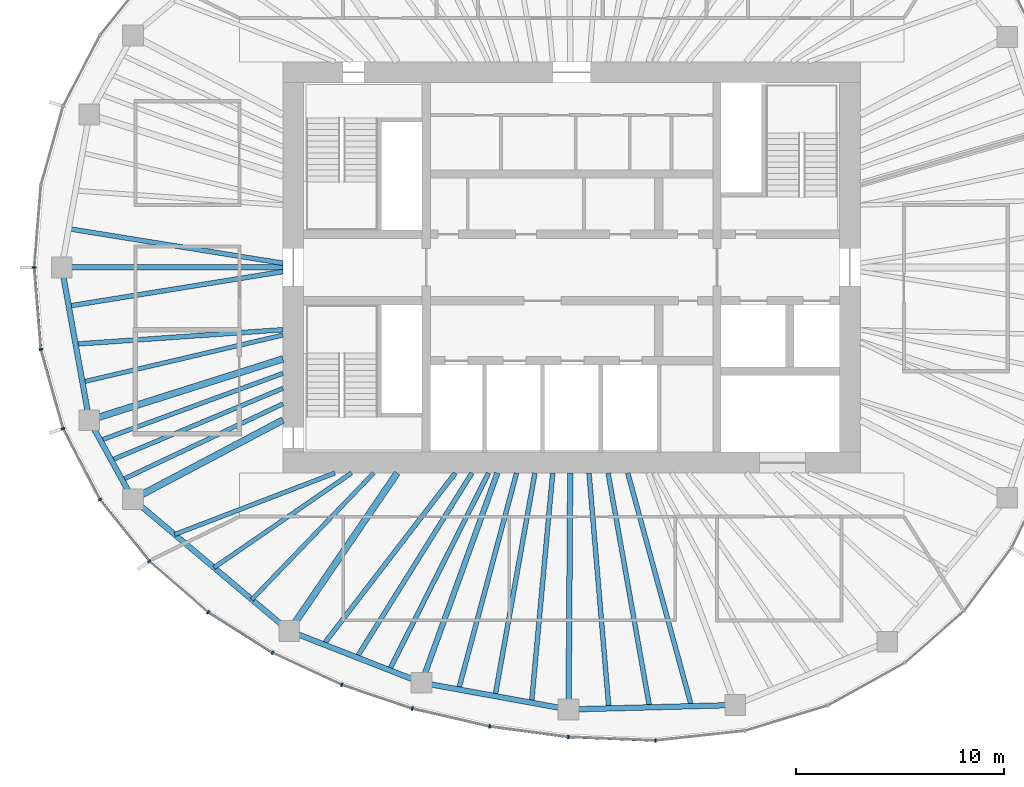
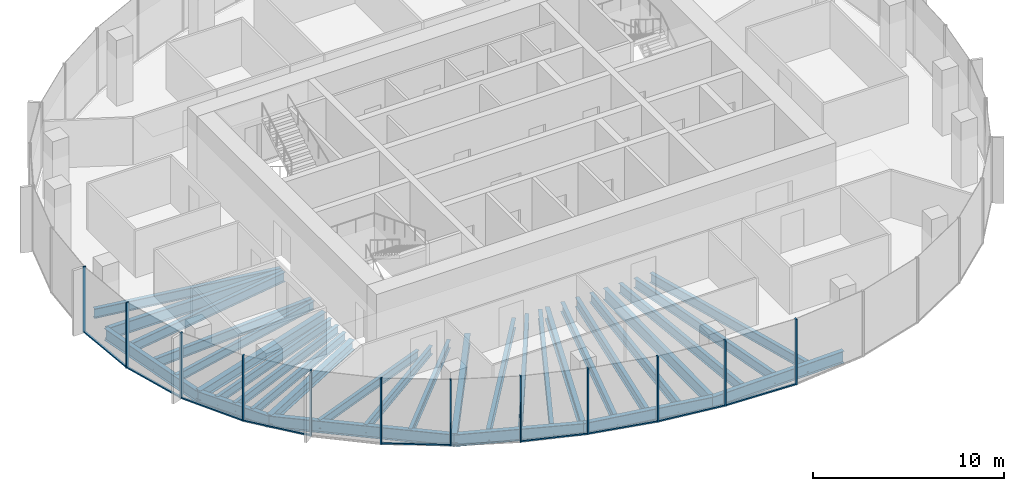
# One storey, part 2 of 11: 31 beams, 21 members, 6 elements without a shape of their own.
"""IFC4 building model written with IfcOpenShell, lengths in metres."""

from ifc_helpers import new_model, si_unit, direction, frame, origin, origin_2d, place, context, subcontext, project, spatial, rectangle, i_section, extrude, material, material_profile, profile_set, type_object, element, aggregate, save


model = new_model("IFC4")

# Units and contexts
model_context = context("Model", 3, precision=1e-05, world=origin(), true_north=direction((0.0, 1.0)))
body_context = subcontext(model_context, "Body", "Model", "MODEL_VIEW")
ifc_project = project(units=[si_unit("LENGTHUNIT", "METRE"), si_unit("AREAUNIT", "SQUARE_METRE"), si_unit("VOLUMEUNIT", "CUBIC_METRE"), si_unit("PLANEANGLEUNIT", "RADIAN"), si_unit("MASSUNIT", "GRAM", prefix="KILO")], contexts=[model_context])

# Site, building, storey
site_placement = place(None, origin())
site = spatial("IfcSite", under=ifc_project, at=site_placement, CompositionType="ELEMENT")
building_placement = place(site_placement, origin())
building = spatial("IfcBuilding", under=site, at=building_placement, Name="Ghaith Harvest Tower", CompositionType="ELEMENT")
storey_placement = place(building_placement, frame((0.0, 0.0, 313.199951171875)))
storey = spatial("IfcBuildingStorey", under=building, at=storey_placement, Name="L70", CompositionType="ELEMENT", Elevation=313.199951171875)

# Curtain wall, members
ifc_material_1 = material(Name="Black anodised aluminium and fritted glass", Category="aluminium")
curtain_wall_type = type_object("IfcCurtainWallType", Name="CW-T CURTAIN WALL", PredefinedType="NOTDEFINED", material=ifc_material_1)
curtain_wall_1_placement = place(storey_placement, origin())
curtain_wall_1 = element("IfcCurtainWall", 1, at=curtain_wall_1_placement, inside=storey, type_object=curtain_wall_type, Name="Curtain wall CW-T bay 11 L70", PredefinedType="NOTDEFINED")
ifc_material_2 = material(Name="Aluminium, black anodised", Category="aluminium")
ifc_material_profile_1 = material_profile(ifc_material_2, rectangle(XDim=0.080078125, YDim=0.179931640625, at=origin_2d()), Name="CW-T MULLION 80x180")
ifc_profile_set_1 = profile_set([ifc_material_profile_1], Name="Aluminium, black anodised")
member_type_1 = type_object("IfcMemberType", Name="CW-T MULLION 80x180", PredefinedType="MULLION", material=ifc_profile_set_1)
member_1_placement = place(storey_placement, frame((-25.8701171875, 0.0, 0.0), z_axis=(0.0, 0.0, 1.0), x_axis=(-1.05e-10, -1.0, 0.0)))
member_1 = element("IfcMember", 2, at=member_1_placement, type_object=member_type_1, Name="CW-T mullion 1 bay 11 L70", PredefinedType="MULLION", context=body_context, shape_type="SweptSolid", body=[
    extrude(rectangle(XDim=0.080078125, YDim=0.179931640625, at=origin_2d()), origin(), (0.0, 0.0, 1.0), 4.199951171875),
])
member_2_placement = place(storey_placement, frame((-25.5517578125, -3.9521484375, 0.0), z_axis=(0.0, 0.0, 1.0), x_axis=(0.176001391003, -0.98438991785, 0.0)))
member_2 = element("IfcMember", 3, at=member_2_placement, type_object=member_type_1, Name="CW-T mullion 2 bay 11 L70", PredefinedType="MULLION", context=body_context, shape_type="SweptSolid", body=[
    extrude(rectangle(XDim=0.080078125, YDim=0.179931640625, at=origin_2d()), origin(), (0.0, 0.0, 1.0), 4.199951171875),
])

curtain_wall_2_placement = place(storey_placement, origin())
curtain_wall_2 = element("IfcCurtainWall", 4, at=curtain_wall_2_placement, inside=storey, type_object=curtain_wall_type, Name="Curtain wall CW-T bay 12 L70", PredefinedType="NOTDEFINED")
member_3_placement = place(storey_placement, frame((-24.482666015625, -7.759033203125, 0.0), z_axis=(0.0, 0.0, 1.0), x_axis=(0.366473104734, -0.930428645038, 0.0)))
member_3 = element("IfcMember", 5, at=member_3_placement, type_object=member_type_1, Name="CW-T mullion 1 bay 12 L70", PredefinedType="MULLION", context=body_context, shape_type="SweptSolid", body=[
    extrude(rectangle(XDim=0.080078125, YDim=0.179931640625, at=origin_2d()), origin(), (0.0, 0.0, 1.0), 4.199951171875),
])
member_4_placement = place(storey_placement, frame((-22.706298828125, -11.176513671875, 0.0), z_axis=(0.0, 0.0, 1.0), x_axis=(0.545865412431, -0.837872873121, 0.0)))
member_4 = element("IfcMember", 6, at=member_4_placement, type_object=member_type_1, Name="CW-T mullion 2 bay 12 L70", PredefinedType="MULLION", context=body_context, shape_type="SweptSolid", body=[
    extrude(rectangle(XDim=0.080078125, YDim=0.179931640625, at=origin_2d()), origin(), (0.0, 0.0, 1.0), 4.199951171875),
])

curtain_wall_3_placement = place(storey_placement, origin())
curtain_wall_3 = element("IfcCurtainWall", 7, at=curtain_wall_3_placement, inside=storey, type_object=curtain_wall_type, Name="Curtain wall CW-T bay 13 L70", PredefinedType="NOTDEFINED")
member_5_placement = place(storey_placement, frame((-20.324462890625, -14.141845703125, 0.0), z_axis=(0.0, 0.0, 1.0), x_axis=(0.692826491831, -0.721104328248, 0.0)))
member_5 = element("IfcMember", 8, at=member_5_placement, type_object=member_type_1, Name="CW-T mullion 1 bay 13 L70", PredefinedType="MULLION", context=body_context, shape_type="SweptSolid", body=[
    extrude(rectangle(XDim=0.080078125, YDim=0.179931640625, at=origin_2d()), origin(), (0.0, 0.0, 1.0), 4.199951171875),
])
member_6_placement = place(storey_placement, frame((-17.49462890625, -16.600830078125, 0.0), z_axis=(0.0, 0.0, 1.0), x_axis=(0.802189888845, -0.59706899286, 0.0)))
member_6 = element("IfcMember", 9, at=member_6_placement, type_object=member_type_1, Name="CW-T mullion 2 bay 13 L70", PredefinedType="MULLION", context=body_context, shape_type="SweptSolid", body=[
    extrude(rectangle(XDim=0.080078125, YDim=0.179931640625, at=origin_2d()), origin(), (0.0, 0.0, 1.0), 4.199951171875),
])

curtain_wall_4_placement = place(storey_placement, origin())
curtain_wall_4 = element("IfcCurtainWall", 10, at=curtain_wall_4_placement, inside=storey, type_object=curtain_wall_type, Name="Curtain wall CW-T bay 14 L70", PredefinedType="NOTDEFINED")
member_7_placement = place(storey_placement, frame((-14.40478515625, -18.5478515625, 0.0), z_axis=(0.0, 0.0, 1.0), x_axis=(0.878671732732, -0.477426419564, 0.0)))
member_7 = element("IfcMember", 11, at=member_7_placement, type_object=member_type_1, Name="CW-T mullion 1 bay 14 L70", PredefinedType="MULLION", context=body_context, shape_type="SweptSolid", body=[
    extrude(rectangle(XDim=0.080078125, YDim=0.179931640625, at=origin_2d()), origin(), (0.0, 0.0, 1.0), 4.199951171875),
])
member_8_placement = place(storey_placement, frame((-11.0673828125, -20.093017578125, 0.0), z_axis=(0.0, 0.0, 1.0), x_axis=(0.92862442092, -0.371021138038, 0.0)))
member_8 = element("IfcMember", 12, at=member_8_placement, type_object=member_type_1, Name="CW-T mullion 2 bay 14 L70", PredefinedType="MULLION", context=body_context, shape_type="SweptSolid", body=[
    extrude(rectangle(XDim=0.080078125, YDim=0.179931640625, at=origin_2d()), origin(), (0.0, 0.0, 1.0), 4.199951171875),
])

curtain_wall_5_placement = place(storey_placement, origin())
curtain_wall_5 = element("IfcCurtainWall", 13, at=curtain_wall_5_placement, inside=storey, type_object=curtain_wall_type, Name="Curtain wall CW-T bay 15 L70", PredefinedType="NOTDEFINED")
member_9_placement = place(storey_placement, frame((-7.6708984375, -21.23828125, 0.0), z_axis=(0.0, 0.0, 1.0), x_axis=(0.962552491659, -0.271095372151, 0.0)))
member_9 = element("IfcMember", 14, at=member_9_placement, type_object=member_type_1, Name="CW-T mullion 1 bay 15 L70", PredefinedType="MULLION", context=body_context, shape_type="SweptSolid", body=[
    extrude(rectangle(XDim=0.080078125, YDim=0.179931640625, at=origin_2d()), origin(), (0.0, 0.0, 1.0), 4.199951171875),
])
member_10_placement = place(storey_placement, frame((-3.946533203125, -22.0986328125, 0.0), z_axis=(0.0, 0.0, 1.0), x_axis=(0.983843447712, -0.179030920217, 0.0)))
member_10 = element("IfcMember", 15, at=member_10_placement, type_object=member_type_1, Name="CW-T mullion 2 bay 15 L70", PredefinedType="MULLION", context=body_context, shape_type="SweptSolid", body=[
    extrude(rectangle(XDim=0.080078125, YDim=0.179931640625, at=origin_2d()), origin(), (0.0, 0.0, 1.0), 4.199951171875),
])

curtain_wall_6_placement = place(storey_placement, origin())
curtain_wall_6 = element("IfcCurtainWall", 16, at=curtain_wall_6_placement, inside=storey, type_object=curtain_wall_type, Name="Curtain wall CW-T bay 16 L70", PredefinedType="NOTDEFINED")
member_11_placement = place(storey_placement, frame((-0.15478515625, -22.60595703125, 0.0), z_axis=(0.0, 0.0, 1.0), x_axis=(0.996414855524, -0.084601629366, 0.0)))
member_11 = element("IfcMember", 17, at=member_11_placement, type_object=member_type_1, Name="CW-T mullion 1 bay 16 L70", PredefinedType="MULLION", context=body_context, shape_type="SweptSolid", body=[
    extrude(rectangle(XDim=0.080078125, YDim=0.179931640625, at=origin_2d()), origin(), (0.0, 0.0, 1.0), 4.199951171875),
])
member_12_placement = place(storey_placement, frame((4.037841796875, -22.776611328125, 0.0), z_axis=(0.0, 0.0, 1.0), x_axis=(0.999388631241, 0.034962318939, 0.0)))
member_12 = element("IfcMember", 18, at=member_12_placement, type_object=member_type_1, Name="CW-T mullion 2 bay 16 L70", PredefinedType="MULLION", context=body_context, shape_type="SweptSolid", body=[
    extrude(rectangle(XDim=0.080078125, YDim=0.179931640625, at=origin_2d()), origin(), (0.0, 0.0, 1.0), 4.199951171875),
])

# Member
ifc_material_3 = material(Name="Aluminium, black anodised", Category="aluminium")
ifc_material_profile_2 = material_profile(ifc_material_3, rectangle(XDim=0.1201171875, YDim=0.080078125, at=origin_2d()), Name="CW-T TRANSOM 120x80")
ifc_profile_set_2 = profile_set([ifc_material_profile_2], Name="Aluminium, black anodised")
member_type_2 = type_object("IfcMemberType", Name="CW-T TRANSOM 120x80", PredefinedType="USERDEFINED", material=ifc_profile_set_2)
member_13_placement = place(storey_placement, frame((-25.86669921875, -0.039794921875, 0.0400390625), z_axis=(0.08025226314, -0.996774585481, 0.0), x_axis=(0.996774585481, 0.08025226314, 0.0)))
member_13 = element("IfcMember", 19, at=member_13_placement, type_object=member_type_2, Name="CW-T transom 1 bay 11 L70", ObjectType="TRANSOM", PredefinedType="USERDEFINED", context=body_context, shape_type="SweptSolid", body=[
    extrude(rectangle(XDim=0.1201171875, YDim=0.080078125, at=origin_2d()), origin(), (0.0, 0.0, 1.0), 3.884765625),
])

member_14_placement = place(storey_placement, frame((-25.541015625, -3.990478515625, 0.0400390625), z_axis=(0.270340422972, -0.962764797709, 0.0), x_axis=(0.962764797709, 0.270340422972, 0.0)))
member_14 = element("IfcMember", 20, at=member_14_placement, type_object=member_type_2, Name="CW-T transom 2 bay 11 L70", ObjectType="TRANSOM", PredefinedType="USERDEFINED", context=body_context, shape_type="SweptSolid", body=[
    extrude(rectangle(XDim=0.1201171875, YDim=0.080078125, at=origin_2d()), origin(), (0.0, 0.0, 1.0), 3.874267578125),
])

aggregate(curtain_wall_1, [member_1, member_13, member_2, member_14])

member_15_placement = place(storey_placement, frame((-24.46435546875, -7.79443359375, 0.0400390625), z_axis=(0.461242681347, -0.887274021317, 0.0), x_axis=(0.887274021317, 0.461242681347, 0.0)))
member_15 = element("IfcMember", 21, at=member_15_placement, type_object=member_type_2, Name="CW-T transom 1 bay 12 L70", ObjectType="TRANSOM", PredefinedType="USERDEFINED", context=body_context, shape_type="SweptSolid", body=[
    extrude(rectangle(XDim=0.1201171875, YDim=0.080078125, at=origin_2d()), origin(), (0.0, 0.0, 1.0), 3.77197265625),
])

member_16_placement = place(storey_placement, frame((-22.68115234375, -11.207763671875, 0.0400390625), z_axis=(0.626253073761, -0.779619835307, 0.0), x_axis=(0.779619835307, 0.626253073761, 0.0)))
member_16 = element("IfcMember", 22, at=member_16_placement, type_object=member_type_2, Name="CW-T transom 2 bay 12 L70", ObjectType="TRANSOM", PredefinedType="USERDEFINED", context=body_context, shape_type="SweptSolid", body=[
    extrude(rectangle(XDim=0.1201171875, YDim=0.080078125, at=origin_2d()), origin(), (0.0, 0.0, 1.0), 3.723388671875),
])

aggregate(curtain_wall_2, [member_3, member_15, member_4, member_16])

member_17_placement = place(storey_placement, frame((-17.4609375, -16.6220703125, 0.0400390625), z_axis=(0.846053602505, -0.533097835006, 0.0), x_axis=(0.533097835006, 0.846053602505, 0.0)))
member_17 = element("IfcMember", 23, at=member_17_placement, type_object=member_type_2, Name="CW-T transom 2 bay 13 L70", ObjectType="TRANSOM", PredefinedType="USERDEFINED", context=body_context, shape_type="SweptSolid", body=[
    extrude(rectangle(XDim=0.1201171875, YDim=0.080078125, at=origin_2d()), origin(), (0.0, 0.0, 1.0), 3.572021484375),
])

aggregate(curtain_wall_3, [member_5, member_6, member_17])

member_18_placement = place(storey_placement, frame((-11.029541015625, -20.105712890625, 0.0400390625), z_axis=(0.9475698206, -0.319548799228, 0.0), x_axis=(0.319548799228, 0.9475698206, 0.0)))
member_18 = element("IfcMember", 24, at=member_18_placement, type_object=member_type_2, Name="CW-T transom 2 bay 14 L70", ObjectType="TRANSOM", PredefinedType="USERDEFINED", context=body_context, shape_type="SweptSolid", body=[
    extrude(rectangle(XDim=0.1201171875, YDim=0.080078125, at=origin_2d()), origin(), (0.0, 0.0, 1.0), 3.504638671875),
])

aggregate(curtain_wall_4, [member_7, member_8, member_18])

member_19_placement = place(storey_placement, frame((-7.6318359375, -21.247314453125, 0.0400390625), z_axis=(0.974344997799, -0.225059603803, 0.0), x_axis=(0.225059603803, 0.974344997799, 0.0)))
member_19 = element("IfcMember", 25, at=member_19_placement, type_object=member_type_2, Name="CW-T transom 1 bay 15 L70", ObjectType="TRANSOM", PredefinedType="USERDEFINED", context=body_context, shape_type="SweptSolid", body=[
    extrude(rectangle(XDim=0.1201171875, YDim=0.080078125, at=origin_2d()), origin(), (0.0, 0.0, 1.0), 3.742431640625),
])

member_20_placement = place(storey_placement, frame((-3.90673828125, -22.10400390625, 0.0400390625), z_axis=(0.99117202259, -0.132582131655, 0.0), x_axis=(0.132582131655, 0.99117202259, 0.0)))
member_20 = element("IfcMember", 26, at=member_20_placement, type_object=member_type_2, Name="CW-T transom 2 bay 15 L70", ObjectType="TRANSOM", PredefinedType="USERDEFINED", context=body_context, shape_type="SweptSolid", body=[
    extrude(rectangle(XDim=0.1201171875, YDim=0.080078125, at=origin_2d()), origin(), (0.0, 0.0, 1.0), 3.745361328125),
])

aggregate(curtain_wall_5, [member_9, member_19, member_10, member_20])

member_21_placement = place(storey_placement, frame((-0.11474609375, -22.607666015625, 0.0400390625), z_axis=(0.999174207562, -0.040631304968, 0.0), x_axis=(0.040631304968, 0.999174207562, 0.0)))
member_21 = element("IfcMember", 27, at=member_21_placement, type_object=member_type_2, Name="CW-T transom 1 bay 16 L70", ObjectType="TRANSOM", PredefinedType="USERDEFINED", context=body_context, shape_type="SweptSolid", body=[
    extrude(rectangle(XDim=0.1201171875, YDim=0.080078125, at=origin_2d()), origin(), (0.0, 0.0, 1.0), 4.115966796875),
])

aggregate(curtain_wall_6, [member_11, member_21, member_12])

# Beams
ifc_material_4 = material(Name="Steel ASTM A992 Grade 50", Category="steel")
ifc_material_profile_3 = material_profile(ifc_material_4, i_section(OverallWidth=0.26611328125, OverallDepth=0.758056640625, WebThickness=0.013916015625, FlangeThickness=0.019287109375, at=origin_2d()), Name="W760X161")
ifc_profile_set_3 = profile_set([ifc_material_profile_3], Name="Steel ASTM A992 Grade 50")
beam_type_1 = type_object("IfcBeamType", Name="E760-161 W760X161", PredefinedType="SPANDREL", material=ifc_profile_set_3)
beam_1_placement = place(storey_placement, frame((-24.550048828125, 0.0, -0.549072265625), z_axis=(0.177296554745, -0.984157473007, 0.0), x_axis=(0.984157473007, 0.177296554745, 0.0)))
element("IfcBeam", 28, at=beam_1_placement, inside=storey, type_object=beam_type_1, Name="Edge beam E11 L70", PredefinedType="SPANDREL", context=body_context, shape_type="SweptSolid", body=[
    extrude(i_section(OverallWidth=0.26611328125, OverallDepth=0.758056640625, WebThickness=0.013916015625, FlangeThickness=0.019287109375, at=origin_2d()), origin(), (0.0, 0.0, 1.0), 7.478515625),
])
beam_2_placement = place(storey_placement, frame((-23.22412109375, -7.360107421875, -0.549072265625), z_axis=(0.482955575345, -0.875644855089, 0.0), x_axis=(0.875644855089, 0.482955575345, 0.0)))
element("IfcBeam", 29, at=beam_2_placement, inside=storey, type_object=beam_type_1, Name="Edge beam E12 L70", PredefinedType="SPANDREL", context=body_context, shape_type="SweptSolid", body=[
    extrude(i_section(OverallWidth=0.26611328125, OverallDepth=0.758056640625, WebThickness=0.013916015625, FlangeThickness=0.019287109375, at=origin_2d()), origin(), (0.0, 0.0, 1.0), 4.346435546875),
])
beam_3_placement = place(storey_placement, frame((-21.125, -11.166015625, -0.549072265625), z_axis=(0.765021818761, -0.64400436087, 0.0), x_axis=(0.64400436087, 0.765021818761, 0.0)))
element("IfcBeam", 30, at=beam_3_placement, inside=storey, type_object=beam_type_1, Name="Edge beam E13 L70", PredefinedType="SPANDREL", context=body_context, shape_type="SweptSolid", body=[
    extrude(i_section(OverallWidth=0.26611328125, OverallDepth=0.758056640625, WebThickness=0.013916015625, FlangeThickness=0.019287109375, at=origin_2d()), origin(), (0.0, 0.0, 1.0), 9.8427734375),
])
beam_4_placement = place(storey_placement, frame((-13.594970703125, -17.5048828125, -0.549072265625), z_axis=(0.931322768207, -0.364194867371, 0.0), x_axis=(0.364194867371, 0.931322768207, 0.0)))
element("IfcBeam", 31, at=beam_4_placement, inside=storey, type_object=beam_type_1, Name="Edge beam E14 L70", PredefinedType="SPANDREL", context=body_context, shape_type="SweptSolid", body=[
    extrude(i_section(OverallWidth=0.26611328125, OverallDepth=0.758056640625, WebThickness=0.013916015625, FlangeThickness=0.019287109375, at=origin_2d()), origin(), (0.0, 0.0, 1.0), 6.843017578125),
])
beam_5_placement = place(storey_placement, frame((-7.221923828125, -19.9970703125, -0.549072265625), z_axis=(0.983813921429, -0.179193102551, 0.0), x_axis=(0.179193102551, 0.983813921429, 0.0)))
element("IfcBeam", 32, at=beam_5_placement, inside=storey, type_object=beam_type_1, Name="Edge beam E15 L70", PredefinedType="SPANDREL", context=body_context, shape_type="SweptSolid", body=[
    extrude(i_section(OverallWidth=0.26611328125, OverallDepth=0.758056640625, WebThickness=0.013916015625, FlangeThickness=0.019287109375, at=origin_2d()), origin(), (0.0, 0.0, 1.0), 7.1923828125),
])
beam_6_placement = place(storey_placement, frame((-0.14599609375, -21.285888671875, -0.549072265625), z_axis=(0.999644979696, 0.02664422206, 0.0), x_axis=(-0.02664422206, 0.999644979696, 0.0)))
element("IfcBeam", 33, at=beam_6_placement, inside=storey, type_object=beam_type_1, Name="Edge beam E16 L70", PredefinedType="SPANDREL", context=body_context, shape_type="SweptSolid", body=[
    extrude(i_section(OverallWidth=0.26611328125, OverallDepth=0.758056640625, WebThickness=0.013916015625, FlangeThickness=0.019287109375, at=origin_2d()), origin(), (0.0, 0.0, 1.0), 8.02685546875),
])
ifc_material_5 = material(Name="Steel ASTM A992 Grade 50", Category="steel")
ifc_material_profile_4 = material_profile(ifc_material_5, i_section(OverallWidth=0.323974609375, OverallDepth=0.611083984375, WebThickness=0.0126953125, FlangeThickness=0.01904296875, at=origin_2d()), Name="W610X155")
ifc_profile_set_4 = profile_set([ifc_material_profile_4], Name="Steel ASTM A992 Grade 50")
beam_type_2 = type_object("IfcBeamType", Name="G610-155 W610X155", PredefinedType="BEAM", material=ifc_profile_set_4)
beam_7_placement = place(storey_placement, frame((-13.89990234375, -4.4052734375, -0.475341796875), z_axis=(-0.953278508772, -0.302092841215, 0.0), x_axis=(0.302092841215, -0.953278508772, 0.0)))
element("IfcBeam", 34, at=beam_7_placement, inside=storey, type_object=beam_type_2, Name="Radial girder G12 L70", PredefinedType="BEAM", context=body_context, shape_type="SweptSolid", body=[
    extrude(i_section(OverallWidth=0.323974609375, OverallDepth=0.611083984375, WebThickness=0.0126953125, FlangeThickness=0.01904296875, at=origin_2d()), origin(), (0.0, 0.0, 1.0), 9.78125),
])
beam_8_placement = place(storey_placement, frame((-13.89990234375, -7.34716796875, -0.475341796875), z_axis=(-0.88410164037, -0.467294649546, 0.0), x_axis=(0.467294649546, -0.88410164037, 0.0)))
element("IfcBeam", 35, at=beam_8_placement, inside=storey, type_object=beam_type_2, Name="Radial girder G13 L70", PredefinedType="BEAM", context=body_context, shape_type="SweptSolid", body=[
    extrude(i_section(OverallWidth=0.323974609375, OverallDepth=0.611083984375, WebThickness=0.0126953125, FlangeThickness=0.01904296875, at=origin_2d()), origin(), (0.0, 0.0, 1.0), 8.17236328125),
])
beam_9_placement = place(storey_placement, frame((-8.39990234375, -9.89990234375, -0.475341796875), z_axis=(-0.564067018201, -0.825729010619, 0.0), x_axis=(0.825729010619, -0.564067018201, 0.0)))
element("IfcBeam", 36, at=beam_9_placement, inside=storey, type_object=beam_type_2, Name="Radial girder G14 L70", PredefinedType="BEAM", context=body_context, shape_type="SweptSolid", body=[
    extrude(i_section(OverallWidth=0.323974609375, OverallDepth=0.611083984375, WebThickness=0.0126953125, FlangeThickness=0.01904296875, at=origin_2d()), origin(), (0.0, 0.0, 1.0), 9.2099609375),
])
ifc_material_6 = material(Name="Steel ASTM A992 Grade 50", Category="steel")
ifc_material_profile_5 = material_profile(ifc_material_6, i_section(OverallWidth=0.26611328125, OverallDepth=0.758056640625, WebThickness=0.013916015625, FlangeThickness=0.019287109375, at=origin_2d()), Name="W760X161")
ifc_profile_set_5 = profile_set([ifc_material_profile_5], Name="Steel ASTM A992 Grade 50")
beam_type_3 = type_object("IfcBeamType", Name="G760-161 W760X161", PredefinedType="BEAM", material=ifc_profile_set_5)
beam_10_placement = place(storey_placement, frame((-13.89990234375, 0.0, -0.549072265625), z_axis=(-1.0, 0.0, 0.0), x_axis=(0.0, -1.0, 0.0)))
element("IfcBeam", 37, at=beam_10_placement, inside=storey, type_object=beam_type_3, Name="Radial girder G11 L70", PredefinedType="BEAM", context=body_context, shape_type="SweptSolid", body=[
    extrude(i_section(OverallWidth=0.26611328125, OverallDepth=0.758056640625, WebThickness=0.013916015625, FlangeThickness=0.019287109375, at=origin_2d()), origin(), (0.0, 0.0, 1.0), 10.650146484375),
])
beam_11_placement = place(storey_placement, frame((-3.57568359375, -9.89990234375, -0.549072265625), z_axis=(-0.339647816823, -0.940552688863, 0.0), x_axis=(0.940552688863, -0.339647816823, 0.0)))
element("IfcBeam", 38, at=beam_11_placement, inside=storey, type_object=beam_type_3, Name="Radial girder G15 L70", PredefinedType="BEAM", context=body_context, shape_type="SweptSolid", body=[
    extrude(i_section(OverallWidth=0.26611328125, OverallDepth=0.758056640625, WebThickness=0.013916015625, FlangeThickness=0.019287109375, at=origin_2d()), origin(), (0.0, 0.0, 1.0), 10.7353515625),
])
beam_12_placement = place(storey_placement, frame((-0.06787109375, -9.89990234375, -0.549072265625), z_axis=(-0.006861343299, -0.999976460707, 0.0), x_axis=(0.999976460707, -0.006861343299, 0.0)))
element("IfcBeam", 39, at=beam_12_placement, inside=storey, type_object=beam_type_3, Name="Radial girder G16 L70", PredefinedType="BEAM", context=body_context, shape_type="SweptSolid", body=[
    extrude(i_section(OverallWidth=0.26611328125, OverallDepth=0.758056640625, WebThickness=0.013916015625, FlangeThickness=0.019287109375, at=origin_2d()), origin(), (0.0, 0.0, 1.0), 11.38623046875),
])
ifc_material_7 = material(Name="Steel ASTM A992 Grade 50", Category="steel")
ifc_material_profile_6 = material_profile(ifc_material_7, i_section(OverallWidth=0.2109375, OverallDepth=0.5390625, WebThickness=0.01171875, FlangeThickness=0.018798828125, at=origin_2d()), Name="W530X109")
ifc_profile_set_6 = profile_set([ifc_material_profile_6], Name="Steel ASTM A992 Grade 50")
beam_type_4 = type_object("IfcBeamType", Name="J530-109 W530X109", PredefinedType="JOIST", material=ifc_profile_set_6)
beam_13_placement = place(storey_placement, frame((-13.89990234375, -3.257080078125, -0.439453125), z_axis=(-0.973623403271, -0.228161058472, 0.0), x_axis=(0.228161058472, -0.973623403271, 0.0)))
element("IfcBeam", 40, at=beam_13_placement, inside=storey, type_object=beam_type_4, Name="Joist J11.3 L70", PredefinedType="JOIST", context=body_context, shape_type="SweptSolid", body=[
    extrude(i_section(OverallWidth=0.2109375, OverallDepth=0.5390625, WebThickness=0.01171875, FlangeThickness=0.018798828125, at=origin_2d()), origin(), (0.0, 0.0, 1.0), 9.9169921875),
])
beam_14_placement = place(storey_placement, frame((-13.89990234375, -5.101318359375, -0.439453125), z_axis=(-0.938776837502, -0.34452583266, 0.0), x_axis=(0.34452583266, -0.938776837502, 0.0)))
element("IfcBeam", 41, at=beam_14_placement, inside=storey, type_object=beam_type_4, Name="Joist J12.1 L70", PredefinedType="JOIST", context=body_context, shape_type="SweptSolid", body=[
    extrude(i_section(OverallWidth=0.2109375, OverallDepth=0.5390625, WebThickness=0.01171875, FlangeThickness=0.018798828125, at=origin_2d()), origin(), (0.0, 0.0, 1.0), 9.36376953125),
])
beam_15_placement = place(storey_placement, frame((-13.89990234375, -5.82080078125, -0.439453125), z_axis=(-0.922394258818, -0.38624970071, 0.0), x_axis=(0.38624970071, -0.922394258818, 0.0)))
element("IfcBeam", 42, at=beam_15_placement, inside=storey, type_object=beam_type_4, Name="Joist J12.2 L70", PredefinedType="JOIST", context=body_context, shape_type="SweptSolid", body=[
    extrude(i_section(OverallWidth=0.2109375, OverallDepth=0.5390625, WebThickness=0.01171875, FlangeThickness=0.018798828125, at=origin_2d()), origin(), (0.0, 0.0, 1.0), 8.959716796875),
])
beam_16_placement = place(storey_placement, frame((-13.89990234375, -6.56787109375, -0.439453125), z_axis=(-0.904165769726, -0.427181765594, 0.0), x_axis=(0.427181765594, -0.904165769726, 0.0)))
element("IfcBeam", 43, at=beam_16_placement, inside=storey, type_object=beam_type_4, Name="Joist J12.3 L70", PredefinedType="JOIST", context=body_context, shape_type="SweptSolid", body=[
    extrude(i_section(OverallWidth=0.2109375, OverallDepth=0.5390625, WebThickness=0.01171875, FlangeThickness=0.018798828125, at=origin_2d()), origin(), (0.0, 0.0, 1.0), 8.564208984375),
])
beam_17_placement = place(storey_placement, frame((-11.39990234375, -9.89990234375, -0.439453125), z_axis=(-0.933583045329, -0.358361127181, 0.0), x_axis=(0.358361127181, -0.933583045329, 0.0)))
element("IfcBeam", 44, at=beam_17_placement, inside=storey, type_object=beam_type_4, Name="Joist J13.1 L70", PredefinedType="JOIST", context=body_context, shape_type="SweptSolid", body=[
    extrude(i_section(OverallWidth=0.2109375, OverallDepth=0.5390625, WebThickness=0.01171875, FlangeThickness=0.018798828125, at=origin_2d()), origin(), (0.0, 0.0, 1.0), 8.260986328125),
])
beam_18_placement = place(storey_placement, frame((-10.60009765625, -9.89990234375, -0.439453125), z_axis=(-0.823778502511, -0.566911791023, 0.0), x_axis=(0.566911791023, -0.823778502511, 0.0)))
element("IfcBeam", 45, at=beam_18_placement, inside=storey, type_object=beam_type_4, Name="Joist J13.2 L70", PredefinedType="JOIST", context=body_context, shape_type="SweptSolid", body=[
    extrude(i_section(OverallWidth=0.2109375, OverallDepth=0.5390625, WebThickness=0.01171875, FlangeThickness=0.018798828125, at=origin_2d()), origin(), (0.0, 0.0, 1.0), 8.0341796875),
])
beam_19_placement = place(storey_placement, frame((-9.530517578125, -9.89990234375, -0.439453125), z_axis=(-0.693536238632, -0.720421741554, 0.0), x_axis=(0.720421741554, -0.693536238632, 0.0)))
element("IfcBeam", 46, at=beam_19_placement, inside=storey, type_object=beam_type_4, Name="Joist J13.3 L70", PredefinedType="JOIST", context=body_context, shape_type="SweptSolid", body=[
    extrude(i_section(OverallWidth=0.2109375, OverallDepth=0.5390625, WebThickness=0.01171875, FlangeThickness=0.018798828125, at=origin_2d()), origin(), (0.0, 0.0, 1.0), 8.4541015625),
])
ifc_material_8 = material(Name="Steel ASTM A992 Grade 50", Category="steel")
ifc_material_profile_7 = material_profile(ifc_material_8, i_section(OverallWidth=0.22998046875, OverallDepth=0.616943359375, WebThickness=0.01318359375, FlangeThickness=0.022216796875, at=origin_2d()), Name="W610X140")
ifc_profile_set_7 = profile_set([ifc_material_profile_7], Name="Steel ASTM A992 Grade 50")
beam_type_5 = type_object("IfcBeamType", Name="J610-140 W610X140", PredefinedType="JOIST", material=ifc_profile_set_7)
for number, where, z_axis, x_axis, name in (
    (47, (-13.89990234375, 0.199951171875, -0.478515625), (-0.987271793524, 0.159042150743, 0.0), (-0.159042150743, -0.987271793524, 0.0), "Joist J10.3 L70"),
    (48, (-13.89990234375, -0.199951171875, -0.478515625), (-0.987271793524, -0.159042150743, 0.0), (0.159042150743, -0.987271793524, 0.0), "Joist J11.1 L70"),
):
    element("IfcBeam", number, at=place(storey_placement, frame(where, z_axis=z_axis, x_axis=x_axis)), inside=storey, type_object=beam_type_5, Name=name, PredefinedType="JOIST", context=body_context, shape_type="SweptSolid", body=[
        extrude(i_section(OverallWidth=0.22998046875, OverallDepth=0.616943359375, WebThickness=0.01318359375, FlangeThickness=0.022216796875, at=origin_2d()), origin(), (0.0, 0.0, 1.0), 10.44775390625),
    ])
beam_20_placement = place(storey_placement, frame((-13.89990234375, -3.0, -0.478515625), z_axis=(-0.997592478057, -0.069348739886, 0.0), x_axis=(0.069348739886, -0.997592478057, 0.0)))
element("IfcBeam", 49, at=beam_20_placement, inside=storey, type_object=beam_type_5, Name="Joist J11.2 L70", PredefinedType="JOIST", context=body_context, shape_type="SweptSolid", body=[
    extrude(i_section(OverallWidth=0.22998046875, OverallDepth=0.616943359375, WebThickness=0.01318359375, FlangeThickness=0.022216796875, at=origin_2d()), origin(), (0.0, 0.0, 1.0), 10.0087890625),
])
beam_21_placement = place(storey_placement, frame((-5.60009765625, -9.89990234375, -0.478515625), z_axis=(-0.609353577926, -0.792898617144, 0.0), x_axis=(0.792898617144, -0.609353577926, 0.0)))
element("IfcBeam", 50, at=beam_21_placement, inside=storey, type_object=beam_type_5, Name="Joist J14.1 L70", PredefinedType="JOIST", context=body_context, shape_type="SweptSolid", body=[
    extrude(i_section(OverallWidth=0.22998046875, OverallDepth=0.616943359375, WebThickness=0.01318359375, FlangeThickness=0.022216796875, at=origin_2d()), origin(), (0.0, 0.0, 1.0), 10.406982421875),
])
beam_22_placement = place(storey_placement, frame((-4.800048828125, -9.89990234375, -0.478515625), z_axis=(-0.529596254905, -0.848249849273, 0.0), x_axis=(0.848249849273, -0.529596254905, 0.0)))
element("IfcBeam", 51, at=beam_22_placement, inside=storey, type_object=beam_type_5, Name="Joist J14.2 L70", PredefinedType="JOIST", context=body_context, shape_type="SweptSolid", body=[
    extrude(i_section(OverallWidth=0.22998046875, OverallDepth=0.616943359375, WebThickness=0.01318359375, FlangeThickness=0.022216796875, at=origin_2d()), origin(), (0.0, 0.0, 1.0), 10.465087890625),
])
beam_23_placement = place(storey_placement, frame((-4.0, -9.89990234375, -0.478515625), z_axis=(-0.449556131123, -0.893252083664, 0.0), x_axis=(0.893252083664, -0.449556131123, 0.0)))
element("IfcBeam", 52, at=beam_23_placement, inside=storey, type_object=beam_type_5, Name="Joist J14.3 L70", PredefinedType="JOIST", context=body_context, shape_type="SweptSolid", body=[
    extrude(i_section(OverallWidth=0.22998046875, OverallDepth=0.616943359375, WebThickness=0.01318359375, FlangeThickness=0.022216796875, at=origin_2d()), origin(), (0.0, 0.0, 1.0), 10.62353515625),
])
beam_24_placement = place(storey_placement, frame((-2.651123046875, -9.89990234375, -0.478515625), z_axis=(-0.258678019609, -0.965963602923, 0.0), x_axis=(0.965963602923, -0.258678019609, 0.0)))
element("IfcBeam", 53, at=beam_24_placement, inside=storey, type_object=beam_type_5, Name="Joist J15.1 L70", PredefinedType="JOIST", context=body_context, shape_type="SweptSolid", body=[
    extrude(i_section(OverallWidth=0.22998046875, OverallDepth=0.616943359375, WebThickness=0.01318359375, FlangeThickness=0.022216796875, at=origin_2d()), origin(), (0.0, 0.0, 1.0), 10.78857421875),
])
beam_25_placement = place(storey_placement, frame((-1.76806640625, -9.89990234375, -0.478515625), z_axis=(-0.175803029262, -0.984425362789, 0.0), x_axis=(0.984425362789, -0.175803029262, 0.0)))
element("IfcBeam", 54, at=beam_25_placement, inside=storey, type_object=beam_type_5, Name="Joist J15.2 L70", PredefinedType="JOIST", context=body_context, shape_type="SweptSolid", body=[
    extrude(i_section(OverallWidth=0.22998046875, OverallDepth=0.616943359375, WebThickness=0.01318359375, FlangeThickness=0.022216796875, at=origin_2d()), origin(), (0.0, 0.0, 1.0), 10.9111328125),
])
beam_26_placement = place(storey_placement, frame((-0.9111328125, -9.89990234375, -0.478515625), z_axis=(-0.091651380942, -0.995791154998, 0.0), x_axis=(0.995791154998, -0.091651380942, 0.0)))
element("IfcBeam", 55, at=beam_26_placement, inside=storey, type_object=beam_type_5, Name="Joist J15.3 L70", PredefinedType="JOIST", context=body_context, shape_type="SweptSolid", body=[
    extrude(i_section(OverallWidth=0.22998046875, OverallDepth=0.616943359375, WebThickness=0.01318359375, FlangeThickness=0.022216796875, at=origin_2d()), origin(), (0.0, 0.0, 1.0), 11.10791015625),
])
beam_27_placement = place(storey_placement, frame((0.836669921875, -9.89990234375, -0.478515625), z_axis=(0.084201795166, -0.996448723061, 0.0), x_axis=(0.996448723061, 0.084201795166, 0.0)))
element("IfcBeam", 56, at=beam_27_placement, inside=storey, type_object=beam_type_5, Name="Joist J16.1 L70", PredefinedType="JOIST", context=body_context, shape_type="SweptSolid", body=[
    extrude(i_section(OverallWidth=0.22998046875, OverallDepth=0.616943359375, WebThickness=0.01318359375, FlangeThickness=0.022216796875, at=origin_2d()), origin(), (0.0, 0.0, 1.0), 11.37451171875),
])
beam_28_placement = place(storey_placement, frame((1.7548828125, -9.89990234375, -0.478515625), z_axis=(0.174572943493, -0.98464424408, 0.0), x_axis=(0.98464424408, 0.174572943493, 0.0)))
element("IfcBeam", 57, at=beam_28_placement, inside=storey, type_object=beam_type_5, Name="Joist J16.2 L70", PredefinedType="JOIST", context=body_context, shape_type="SweptSolid", body=[
    extrude(i_section(OverallWidth=0.22998046875, OverallDepth=0.616943359375, WebThickness=0.01318359375, FlangeThickness=0.022216796875, at=origin_2d()), origin(), (0.0, 0.0, 1.0), 11.4580078125),
])
beam_29_placement = place(storey_placement, frame((2.70361328125, -9.89990234375, -0.478515625), z_axis=(0.263468802698, -0.964667916956, 0.0), x_axis=(0.964667916956, 0.263468802698, 0.0)))
element("IfcBeam", 58, at=beam_29_placement, inside=storey, type_object=beam_type_5, Name="Joist J16.3 L70", PredefinedType="JOIST", context=body_context, shape_type="SweptSolid", body=[
    extrude(i_section(OverallWidth=0.22998046875, OverallDepth=0.616943359375, WebThickness=0.01318359375, FlangeThickness=0.022216796875, at=origin_2d()), origin(), (0.0, 0.0, 1.0), 11.639404296875),
])

save(model, "model.ifc")
